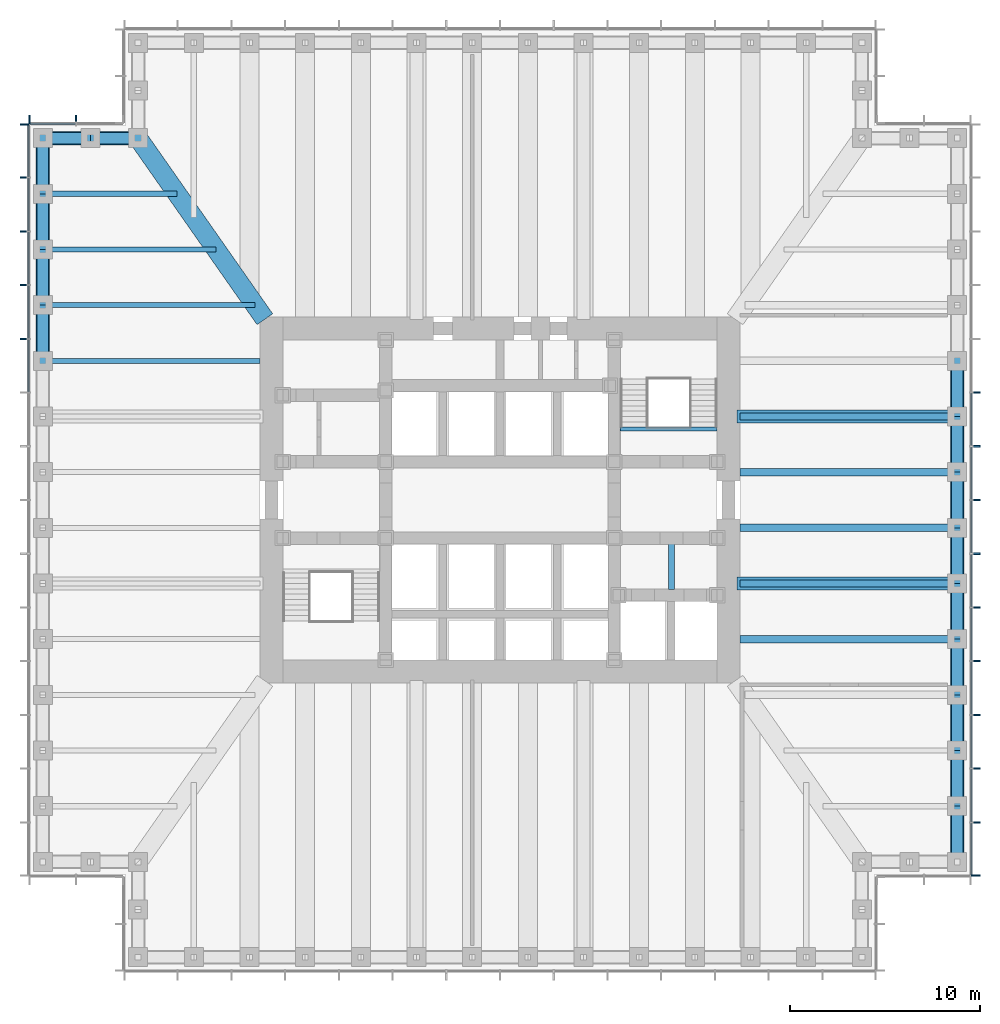
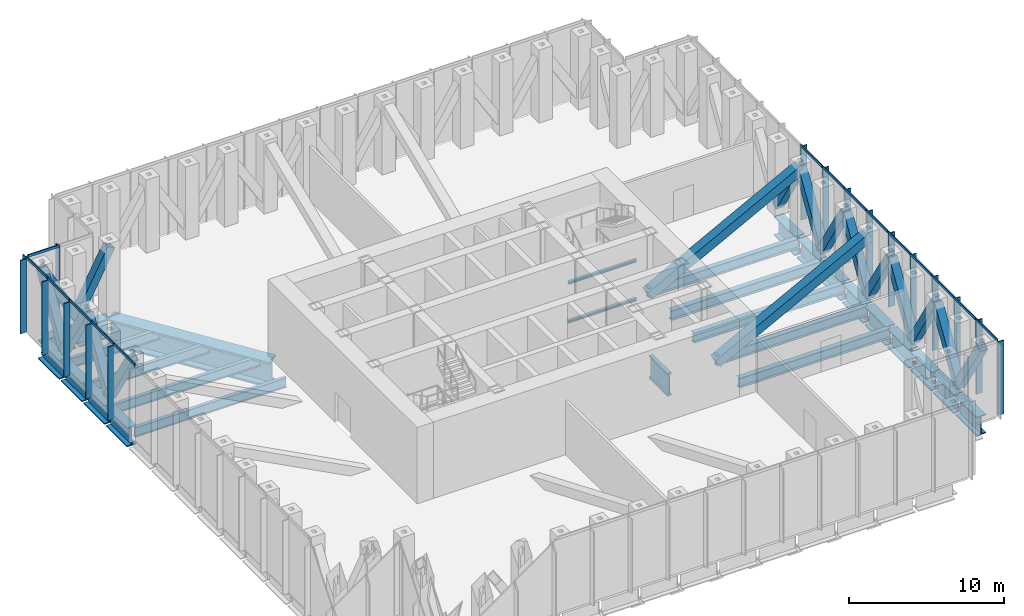
# One storey, part 4 of 15: 49 members, 28 beams, 3 elements without a shape of their own.
"""IFC4 building model written with IfcOpenShell, lengths in metres."""

from ifc_helpers import new_model, si_unit, direction, frame, origin, origin_2d, place, context, subcontext, project, spatial, rectangle, hollow_rectangle, i_section, extrude, material, material_profile, profile_set, type_object, element, aggregate, save


model = new_model("IFC4")

# Units and contexts
model_context = context("Model", 3, precision=1e-05, world=origin(), true_north=direction((0.0, 1.0)))
body_context = subcontext(model_context, "Body", "Model", "MODEL_VIEW")
ifc_project = project(units=[si_unit("LENGTHUNIT", "METRE"), si_unit("AREAUNIT", "SQUARE_METRE"), si_unit("VOLUMEUNIT", "CUBIC_METRE"), si_unit("PLANEANGLEUNIT", "RADIAN"), si_unit("MASSUNIT", "GRAM", prefix="KILO")], contexts=[model_context])

# Site, building, storey
site_placement = place(None, origin())
site = spatial("IfcSite", under=ifc_project, at=site_placement, CompositionType="ELEMENT")
building_placement = place(site_placement, origin())
building = spatial("IfcBuilding", under=site, at=building_placement, Name="Daluyong Arena Tower", CompositionType="ELEMENT")
storey_placement = place(building_placement, frame((0.0, 0.0, 102.10009765625)))
storey = spatial("IfcBuildingStorey", under=building, at=storey_placement, Name="L22", CompositionType="ELEMENT", Elevation=102.10009765625)

# Members
ifc_material_1 = material(Name="Steel ASTM A572 Grade 50", Category="steel")
ifc_material_profile_1 = material_profile(ifc_material_1, hollow_rectangle(XDim=0.60009765625, YDim=0.60009765625, WallThickness=0.05, at=origin_2d()))
ifc_profile_set_1 = profile_set([ifc_material_profile_1], Name="Steel ASTM A572 Grade 50")
member_type_1 = type_object("IfcMemberType", Name="Belt truss diagonal BX600X50", PredefinedType="BRACE", material=ifc_profile_set_1)
for number, where, z_axis, x_axis, name in (
    (1, (80.0, 63.923095703125, 0.5), (0.0, -0.524099867959, 0.851656813749), (1.0, 0.0, 0.0), "belt truss diagonal BT1"),
    (2, (80.0, 63.923095703125, 0.5), (0.0, 0.524099867959, 0.851656813749), (-1.0, 0.0, 0.0), "belt truss diagonal BT1"),
    (3, (80.0, 69.769287109375, 0.5), (0.0, -0.524099867959, 0.851656813749), (1.0, 0.0, 0.0), "belt truss diagonal BT1"),
    (4, (80.0, 69.769287109375, 0.5), (0.0, 0.524099867959, 0.851656813749), (-1.0, 0.0, 0.0), "belt truss diagonal BT1"),
    (5, (80.0, 75.615478515625, 0.5), (0.0, -0.524099867959, 0.851656813749), (1.0, 0.0, 0.0), "belt truss diagonal BT1"),
    (6, (80.0, 75.615478515625, 0.5), (0.0, 0.524099867959, 0.851656813749), (-1.0, 0.0, 0.0), "belt truss diagonal BT1"),
):
    element("IfcMember", number, at=place(storey_placement, frame(where, z_axis=z_axis, x_axis=x_axis)), inside=storey, type_object=member_type_1, Name=name, PredefinedType="BRACE", context=body_context, shape_type="SweptSolid", body=[
        extrude(hollow_rectangle(XDim=0.60009765625, YDim=0.60009765625, WallThickness=0.05, at=origin_2d()), origin(), (0.0, 0.0, 1.0), 5.577392578125),
    ])
member_1_placement = place(storey_placement, frame((80.0, 81.46142578125, 0.5), z_axis=(0.0, -0.524068117116, 0.851676352039), x_axis=(1.0, 0.0, 0.0)))
element("IfcMember", 7, at=member_1_placement, inside=storey, type_object=member_type_1, Name="belt truss diagonal BT1", PredefinedType="BRACE", context=body_context, shape_type="SweptSolid", body=[
    extrude(hollow_rectangle(XDim=0.60009765625, YDim=0.60009765625, WallThickness=0.05, at=origin_2d()), origin(), (0.0, 0.0, 1.0), 5.5771484375),
])
for number, where, z_axis, x_axis, name in (
    (8, (80.0, 81.46142578125, 0.5), (0.0, 0.524099867959, 0.851656813749), (-1.0, 0.0, 0.0), "belt truss diagonal BT1"),
    (9, (80.0, 87.3076171875, 0.5), (0.0, -0.524099867959, 0.851656813749), (1.0, 0.0, 0.0), "belt truss diagonal BT1"),
):
    element("IfcMember", number, at=place(storey_placement, frame(where, z_axis=z_axis, x_axis=x_axis)), inside=storey, type_object=member_type_1, Name=name, PredefinedType="BRACE", context=body_context, shape_type="SweptSolid", body=[
        extrude(hollow_rectangle(XDim=0.60009765625, YDim=0.60009765625, WallThickness=0.05, at=origin_2d()), origin(), (0.0, 0.0, 1.0), 5.577392578125),
    ])
for number, where, z_axis, x_axis, name in (
    (10, (34.5, 99.0, 0.5), (0.465746432833, 0.0, 0.884918222382), (0.0, 1.0, 0.0), "belt truss diagonal BT1"),
    (11, (34.5, 99.0, 0.5), (-0.465746432833, 0.0, 0.884918222382), (0.0, -1.0, 0.0), "belt truss diagonal BT1"),
):
    element("IfcMember", number, at=place(storey_placement, frame(where, z_axis=z_axis, x_axis=x_axis)), inside=storey, type_object=member_type_1, Name=name, PredefinedType="BRACE", context=body_context, shape_type="SweptSolid", body=[
        extrude(hollow_rectangle(XDim=0.60009765625, YDim=0.60009765625, WallThickness=0.05, at=origin_2d()), origin(), (0.0, 0.0, 1.0), 5.36767578125),
    ])
for number, where, z_axis, x_axis, name in (
    (12, (32.0, 96.076904296875, 0.5), (0.0, 0.524099867959, 0.851656813749), (-1.0, 0.0, 0.0), "belt truss diagonal BT1"),
    (13, (32.0, 96.076904296875, 0.5), (0.0, -0.524099867959, 0.851656813749), (1.0, 0.0, 0.0), "belt truss diagonal BT1"),
    (14, (32.0, 90.230712890625, 0.5), (0.0, 0.524099867959, 0.851656813749), (-1.0, 0.0, 0.0), "belt truss diagonal BT1"),
    (15, (32.0, 90.230712890625, 0.5), (0.0, -0.524099867959, 0.851656813749), (1.0, 0.0, 0.0), "belt truss diagonal BT1"),
):
    element("IfcMember", number, at=place(storey_placement, frame(where, z_axis=z_axis, x_axis=x_axis)), inside=storey, type_object=member_type_1, Name=name, PredefinedType="BRACE", context=body_context, shape_type="SweptSolid", body=[
        extrude(hollow_rectangle(XDim=0.60009765625, YDim=0.60009765625, WallThickness=0.05, at=origin_2d()), origin(), (0.0, 0.0, 1.0), 5.577392578125),
    ])

# Curtain wall, members
ifc_material_2 = material(Name="Bronze anodised aluminium and glass", Category="aluminium")
curtain_wall_type = type_object("IfcCurtainWallType", Name="Curtain wall CW6", PredefinedType="USERDEFINED", material=ifc_material_2)
curtain_wall_1_placement = place(storey_placement, origin())
curtain_wall_1 = element("IfcCurtainWall", 16, at=curtain_wall_1_placement, inside=storey, type_object=curtain_wall_type, Name="curtain wall L22 E", ObjectType="UNITISED CURTAIN WALL", PredefinedType="USERDEFINED")
ifc_material_3 = material(Name="Bronze anodised aluminium fin", Category="aluminium")
ifc_material_profile_2 = material_profile(ifc_material_3, rectangle(XDim=0.449951171875, YDim=0.080078125, at=origin_2d()))
ifc_profile_set_2 = profile_set([ifc_material_profile_2], Name="Bronze anodised aluminium fin")
member_type_2 = type_object("IfcMemberType", Name="CW6 bronze fin 450x80", PredefinedType="MULLION", material=ifc_profile_set_2)
member_2_placement = place(storey_placement, frame((80.97509765625, 60.2900390625, 0.0), z_axis=(0.0, 0.0, 1.0), x_axis=(-1.0, 0.0, 0.0)))
member_2 = element("IfcMember", 17, at=member_2_placement, type_object=member_type_2, Name="curtain wall L22 E fin 1", PredefinedType="MULLION", context=body_context, shape_type="SweptSolid", body=[
    extrude(rectangle(XDim=0.449951171875, YDim=0.080078125, at=origin_2d()), origin(), (0.0, 0.0, 1.0), 5.7998046875),
])
member_3_placement = place(storey_placement, frame((80.97509765625, 63.071533203125, 0.0), z_axis=(0.0, 0.0, 1.0), x_axis=(-1.0, 0.0, 0.0)))
member_3 = element("IfcMember", 18, at=member_3_placement, type_object=member_type_2, Name="curtain wall L22 E fin 2", PredefinedType="MULLION", context=body_context, shape_type="SweptSolid", body=[
    extrude(rectangle(XDim=0.449951171875, YDim=0.080078125, at=origin_2d()), origin(), (0.0, 0.0, 1.0), 5.7998046875),
])
member_4_placement = place(storey_placement, frame((80.97509765625, 65.892822265625, 0.0), z_axis=(0.0, 0.0, 1.0), x_axis=(-1.0, 0.0, 0.0)))
member_4 = element("IfcMember", 19, at=member_4_placement, type_object=member_type_2, Name="curtain wall L22 E fin 3", PredefinedType="MULLION", context=body_context, shape_type="SweptSolid", body=[
    extrude(rectangle(XDim=0.449951171875, YDim=0.080078125, at=origin_2d()), origin(), (0.0, 0.0, 1.0), 5.7998046875),
])
member_5_placement = place(storey_placement, frame((80.97509765625, 68.71435546875, 0.0), z_axis=(0.0, 0.0, 1.0), x_axis=(-1.0, 0.0, 0.0)))
member_5 = element("IfcMember", 20, at=member_5_placement, type_object=member_type_2, Name="curtain wall L22 E fin 4", PredefinedType="MULLION", context=body_context, shape_type="SweptSolid", body=[
    extrude(rectangle(XDim=0.449951171875, YDim=0.080078125, at=origin_2d()), origin(), (0.0, 0.0, 1.0), 5.7998046875),
])
member_6_placement = place(storey_placement, frame((80.97509765625, 71.53564453125, 0.0), z_axis=(0.0, 0.0, 1.0), x_axis=(-1.0, 0.0, 0.0)))
member_6 = element("IfcMember", 21, at=member_6_placement, type_object=member_type_2, Name="curtain wall L22 E fin 5", PredefinedType="MULLION", context=body_context, shape_type="SweptSolid", body=[
    extrude(rectangle(XDim=0.449951171875, YDim=0.080078125, at=origin_2d()), origin(), (0.0, 0.0, 1.0), 5.7998046875),
])
member_7_placement = place(storey_placement, frame((80.97509765625, 74.357177734375, 0.0), z_axis=(0.0, 0.0, 1.0), x_axis=(-1.0, 0.0, 0.0)))
member_7 = element("IfcMember", 22, at=member_7_placement, type_object=member_type_2, Name="curtain wall L22 E fin 6", PredefinedType="MULLION", context=body_context, shape_type="SweptSolid", body=[
    extrude(rectangle(XDim=0.449951171875, YDim=0.080078125, at=origin_2d()), origin(), (0.0, 0.0, 1.0), 5.7998046875),
])
member_8_placement = place(storey_placement, frame((80.97509765625, 77.178466796875, 0.0), z_axis=(0.0, 0.0, 1.0), x_axis=(-1.0, 0.0, 0.0)))
member_8 = element("IfcMember", 23, at=member_8_placement, type_object=member_type_2, Name="curtain wall L22 E fin 7", PredefinedType="MULLION", context=body_context, shape_type="SweptSolid", body=[
    extrude(rectangle(XDim=0.449951171875, YDim=0.080078125, at=origin_2d()), origin(), (0.0, 0.0, 1.0), 5.7998046875),
])
member_9_placement = place(storey_placement, frame((80.97509765625, 80.0, 0.0), z_axis=(0.0, 0.0, 1.0), x_axis=(-1.0, 0.0, 0.0)))
member_9 = element("IfcMember", 24, at=member_9_placement, type_object=member_type_2, Name="curtain wall L22 E fin 8", PredefinedType="MULLION", context=body_context, shape_type="SweptSolid", body=[
    extrude(rectangle(XDim=0.449951171875, YDim=0.080078125, at=origin_2d()), origin(), (0.0, 0.0, 1.0), 5.7998046875),
])
member_10_placement = place(storey_placement, frame((80.97509765625, 82.821533203125, 0.0), z_axis=(0.0, 0.0, 1.0), x_axis=(-1.0, 0.0, 0.0)))
member_10 = element("IfcMember", 25, at=member_10_placement, type_object=member_type_2, Name="curtain wall L22 E fin 9", PredefinedType="MULLION", context=body_context, shape_type="SweptSolid", body=[
    extrude(rectangle(XDim=0.449951171875, YDim=0.080078125, at=origin_2d()), origin(), (0.0, 0.0, 1.0), 5.7998046875),
])
member_11_placement = place(storey_placement, frame((80.97509765625, 85.642822265625, 0.0), z_axis=(0.0, 0.0, 1.0), x_axis=(-1.0, 0.0, 0.0)))
member_11 = element("IfcMember", 26, at=member_11_placement, type_object=member_type_2, Name="curtain wall L22 E fin 10", PredefinedType="MULLION", context=body_context, shape_type="SweptSolid", body=[
    extrude(rectangle(XDim=0.449951171875, YDim=0.080078125, at=origin_2d()), origin(), (0.0, 0.0, 1.0), 5.7998046875),
])

curtain_wall_2_placement = place(storey_placement, origin())
curtain_wall_2 = element("IfcCurtainWall", 27, at=curtain_wall_2_placement, inside=storey, type_object=curtain_wall_type, Name="curtain wall L22 NW-N", ObjectType="UNITISED CURTAIN WALL", PredefinedType="USERDEFINED")
member_12_placement = place(storey_placement, frame((33.75, 99.97509765625, 0.0), z_axis=(0.0, 0.0, 1.0), x_axis=(0.0, -1.0, 0.0)))
member_12 = element("IfcMember", 28, at=member_12_placement, type_object=member_type_2, Name="curtain wall L22 NW-N fin 2", PredefinedType="MULLION", context=body_context, shape_type="SweptSolid", body=[
    extrude(rectangle(XDim=0.449951171875, YDim=0.080078125, at=origin_2d()), origin(), (0.0, 0.0, 1.0), 5.7998046875),
])
member_13_placement = place(storey_placement, frame((31.2900390625, 99.97509765625, 0.0), z_axis=(0.0, 0.0, 1.0), x_axis=(0.0, -1.0, 0.0)))
member_13 = element("IfcMember", 29, at=member_13_placement, type_object=member_type_2, Name="curtain wall L22 NW-N fin 3", PredefinedType="MULLION", context=body_context, shape_type="SweptSolid", body=[
    extrude(rectangle(XDim=0.449951171875, YDim=0.080078125, at=origin_2d()), origin(), (0.0, 0.0, 1.0), 5.7998046875),
])

curtain_wall_3_placement = place(storey_placement, origin())
curtain_wall_3 = element("IfcCurtainWall", 30, at=curtain_wall_3_placement, inside=storey, type_object=curtain_wall_type, Name="curtain wall L22 W", ObjectType="UNITISED CURTAIN WALL", PredefinedType="USERDEFINED")
member_14_placement = place(storey_placement, frame((31.02490234375, 99.7099609375, 0.0), z_axis=(0.0, 0.0, 1.0), x_axis=(1.0, 0.0, 0.0)))
member_14 = element("IfcMember", 31, at=member_14_placement, type_object=member_type_2, Name="curtain wall L22 W fin 1", PredefinedType="MULLION", context=body_context, shape_type="SweptSolid", body=[
    extrude(rectangle(XDim=0.449951171875, YDim=0.080078125, at=origin_2d()), origin(), (0.0, 0.0, 1.0), 5.7998046875),
])
member_15_placement = place(storey_placement, frame((31.02490234375, 96.928466796875, 0.0), z_axis=(0.0, 0.0, 1.0), x_axis=(1.0, 0.0, 0.0)))
member_15 = element("IfcMember", 32, at=member_15_placement, type_object=member_type_2, Name="curtain wall L22 W fin 2", PredefinedType="MULLION", context=body_context, shape_type="SweptSolid", body=[
    extrude(rectangle(XDim=0.449951171875, YDim=0.080078125, at=origin_2d()), origin(), (0.0, 0.0, 1.0), 5.7998046875),
])
member_16_placement = place(storey_placement, frame((31.02490234375, 94.107177734375, 0.0), z_axis=(0.0, 0.0, 1.0), x_axis=(1.0, 0.0, 0.0)))
member_16 = element("IfcMember", 33, at=member_16_placement, type_object=member_type_2, Name="curtain wall L22 W fin 3", PredefinedType="MULLION", context=body_context, shape_type="SweptSolid", body=[
    extrude(rectangle(XDim=0.449951171875, YDim=0.080078125, at=origin_2d()), origin(), (0.0, 0.0, 1.0), 5.7998046875),
])
member_17_placement = place(storey_placement, frame((31.02490234375, 91.28564453125, 0.0), z_axis=(0.0, 0.0, 1.0), x_axis=(1.0, 0.0, 0.0)))
member_17 = element("IfcMember", 34, at=member_17_placement, type_object=member_type_2, Name="curtain wall L22 W fin 4", PredefinedType="MULLION", context=body_context, shape_type="SweptSolid", body=[
    extrude(rectangle(XDim=0.449951171875, YDim=0.080078125, at=origin_2d()), origin(), (0.0, 0.0, 1.0), 5.7998046875),
])
member_18_placement = place(storey_placement, frame((31.02490234375, 88.46435546875, 0.0), z_axis=(0.0, 0.0, 1.0), x_axis=(1.0, 0.0, 0.0)))
member_18 = element("IfcMember", 35, at=member_18_placement, type_object=member_type_2, Name="curtain wall L22 W fin 5", PredefinedType="MULLION", context=body_context, shape_type="SweptSolid", body=[
    extrude(rectangle(XDim=0.449951171875, YDim=0.080078125, at=origin_2d()), origin(), (0.0, 0.0, 1.0), 5.7998046875),
])

# Member
ifc_material_4 = material(Name="Bronze anodised aluminium", Category="aluminium")
ifc_material_profile_3 = material_profile(ifc_material_4, rectangle(XDim=0.080078125, YDim=0.199951171875, at=origin_2d()))
ifc_profile_set_3 = profile_set([ifc_material_profile_3], Name="Bronze anodised aluminium")
member_type_3 = type_object("IfcMemberType", Name="CW6 stack transom 200x80", PredefinedType="USERDEFINED", material=ifc_profile_set_3)
member_19_placement = place(storey_placement, frame((80.75, 60.330078125, 5.89990234375), z_axis=(0.0, 1.0, 0.0), x_axis=(-1.0, 0.0, 0.0)))
member_19 = element("IfcMember", 36, at=member_19_placement, type_object=member_type_3, Name="curtain wall L22 E transom 1", ObjectType="TRANSOM", PredefinedType="USERDEFINED", context=body_context, shape_type="SweptSolid", body=[
    extrude(rectangle(XDim=0.080078125, YDim=0.199951171875, at=origin_2d()), origin(), (0.0, 0.0, 1.0), 2.701416015625),
])

member_20_placement = place(storey_placement, frame((80.75, 63.111328125, 5.89990234375), z_axis=(0.0, 1.0, 0.0), x_axis=(-1.0, 0.0, 0.0)))
member_20 = element("IfcMember", 37, at=member_20_placement, type_object=member_type_3, Name="curtain wall L22 E transom 2", ObjectType="TRANSOM", PredefinedType="USERDEFINED", context=body_context, shape_type="SweptSolid", body=[
    extrude(rectangle(XDim=0.080078125, YDim=0.199951171875, at=origin_2d()), origin(), (0.0, 0.0, 1.0), 2.741455078125),
])

member_21_placement = place(storey_placement, frame((80.75, 65.932861328125, 5.89990234375), z_axis=(0.0, 1.0, 0.0), x_axis=(-1.0, 0.0, 0.0)))
member_21 = element("IfcMember", 38, at=member_21_placement, type_object=member_type_3, Name="curtain wall L22 E transom 3", ObjectType="TRANSOM", PredefinedType="USERDEFINED", context=body_context, shape_type="SweptSolid", body=[
    extrude(rectangle(XDim=0.080078125, YDim=0.199951171875, at=origin_2d()), origin(), (0.0, 0.0, 1.0), 2.741455078125),
])

member_22_placement = place(storey_placement, frame((80.75, 68.75439453125, 5.89990234375), z_axis=(0.0, 1.0, 0.0), x_axis=(-1.0, 0.0, 0.0)))
member_22 = element("IfcMember", 39, at=member_22_placement, type_object=member_type_3, Name="curtain wall L22 E transom 4", ObjectType="TRANSOM", PredefinedType="USERDEFINED", context=body_context, shape_type="SweptSolid", body=[
    extrude(rectangle(XDim=0.080078125, YDim=0.199951171875, at=origin_2d()), origin(), (0.0, 0.0, 1.0), 2.7412109375),
])

member_23_placement = place(storey_placement, frame((80.75, 71.57568359375, 5.89990234375), z_axis=(0.0, 1.0, 0.0), x_axis=(-1.0, 0.0, 0.0)))
member_23 = element("IfcMember", 40, at=member_23_placement, type_object=member_type_3, Name="curtain wall L22 E transom 5", ObjectType="TRANSOM", PredefinedType="USERDEFINED", context=body_context, shape_type="SweptSolid", body=[
    extrude(rectangle(XDim=0.080078125, YDim=0.199951171875, at=origin_2d()), origin(), (0.0, 0.0, 1.0), 2.741455078125),
])

member_24_placement = place(storey_placement, frame((80.75, 74.397216796875, 5.89990234375), z_axis=(0.0, 1.0, 0.0), x_axis=(-1.0, 0.0, 0.0)))
member_24 = element("IfcMember", 41, at=member_24_placement, type_object=member_type_3, Name="curtain wall L22 E transom 6", ObjectType="TRANSOM", PredefinedType="USERDEFINED", context=body_context, shape_type="SweptSolid", body=[
    extrude(rectangle(XDim=0.080078125, YDim=0.199951171875, at=origin_2d()), origin(), (0.0, 0.0, 1.0), 2.741455078125),
])

member_25_placement = place(storey_placement, frame((80.75, 77.218505859375, 5.89990234375), z_axis=(0.0, 1.0, 0.0), x_axis=(-1.0, 0.0, 0.0)))
member_25 = element("IfcMember", 42, at=member_25_placement, type_object=member_type_3, Name="curtain wall L22 E transom 7", ObjectType="TRANSOM", PredefinedType="USERDEFINED", context=body_context, shape_type="SweptSolid", body=[
    extrude(rectangle(XDim=0.080078125, YDim=0.199951171875, at=origin_2d()), origin(), (0.0, 0.0, 1.0), 2.741455078125),
])

member_26_placement = place(storey_placement, frame((80.75, 80.0400390625, 5.89990234375), z_axis=(0.0, 1.0, 0.0), x_axis=(-1.0, 0.0, 0.0)))
member_26 = element("IfcMember", 43, at=member_26_placement, type_object=member_type_3, Name="curtain wall L22 E transom 8", ObjectType="TRANSOM", PredefinedType="USERDEFINED", context=body_context, shape_type="SweptSolid", body=[
    extrude(rectangle(XDim=0.080078125, YDim=0.199951171875, at=origin_2d()), origin(), (0.0, 0.0, 1.0), 2.741455078125),
])

member_27_placement = place(storey_placement, frame((80.75, 82.861328125, 5.89990234375), z_axis=(0.0, 1.0, 0.0), x_axis=(-1.0, 0.0, 0.0)))
member_27 = element("IfcMember", 44, at=member_27_placement, type_object=member_type_3, Name="curtain wall L22 E transom 9", ObjectType="TRANSOM", PredefinedType="USERDEFINED", context=body_context, shape_type="SweptSolid", body=[
    extrude(rectangle(XDim=0.080078125, YDim=0.199951171875, at=origin_2d()), origin(), (0.0, 0.0, 1.0), 2.741455078125),
])

aggregate(curtain_wall_1, [member_2, member_3, member_4, member_5, member_6, member_7, member_8, member_9, member_10, member_11, member_19, member_20, member_21, member_22, member_23, member_24, member_25, member_26, member_27])

member_28_placement = place(storey_placement, frame((33.7099609375, 99.75, 5.89990234375), z_axis=(-1.0, 0.0, 0.0), x_axis=(0.0, -1.0, 0.0)))
member_28 = element("IfcMember", 45, at=member_28_placement, type_object=member_type_3, Name="curtain wall L22 NW-N transom 2", ObjectType="TRANSOM", PredefinedType="USERDEFINED", context=body_context, shape_type="SweptSolid", body=[
    extrude(rectangle(XDim=0.080078125, YDim=0.199951171875, at=origin_2d()), origin(), (0.0, 0.0, 1.0), 2.3798828125),
])

aggregate(curtain_wall_2, [member_12, member_13, member_28])

member_29_placement = place(storey_placement, frame((31.25, 99.669921875, 5.89990234375), z_axis=(0.0, -1.0, 0.0), x_axis=(1.0, 0.0, 0.0)))
member_29 = element("IfcMember", 46, at=member_29_placement, type_object=member_type_3, Name="curtain wall L22 W transom 1", ObjectType="TRANSOM", PredefinedType="USERDEFINED", context=body_context, shape_type="SweptSolid", body=[
    extrude(rectangle(XDim=0.080078125, YDim=0.199951171875, at=origin_2d()), origin(), (0.0, 0.0, 1.0), 2.701416015625),
])

member_30_placement = place(storey_placement, frame((31.25, 96.888671875, 5.89990234375), z_axis=(0.0, -1.0, 0.0), x_axis=(1.0, 0.0, 0.0)))
member_30 = element("IfcMember", 47, at=member_30_placement, type_object=member_type_3, Name="curtain wall L22 W transom 2", ObjectType="TRANSOM", PredefinedType="USERDEFINED", context=body_context, shape_type="SweptSolid", body=[
    extrude(rectangle(XDim=0.080078125, YDim=0.199951171875, at=origin_2d()), origin(), (0.0, 0.0, 1.0), 2.741455078125),
])

member_31_placement = place(storey_placement, frame((31.25, 94.067138671875, 5.89990234375), z_axis=(0.0, -1.0, 0.0), x_axis=(1.0, 0.0, 0.0)))
member_31 = element("IfcMember", 48, at=member_31_placement, type_object=member_type_3, Name="curtain wall L22 W transom 3", ObjectType="TRANSOM", PredefinedType="USERDEFINED", context=body_context, shape_type="SweptSolid", body=[
    extrude(rectangle(XDim=0.080078125, YDim=0.199951171875, at=origin_2d()), origin(), (0.0, 0.0, 1.0), 2.741455078125),
])

member_32_placement = place(storey_placement, frame((31.25, 91.24560546875, 5.89990234375), z_axis=(0.0, -1.0, 0.0), x_axis=(1.0, 0.0, 0.0)))
member_32 = element("IfcMember", 49, at=member_32_placement, type_object=member_type_3, Name="curtain wall L22 W transom 4", ObjectType="TRANSOM", PredefinedType="USERDEFINED", context=body_context, shape_type="SweptSolid", body=[
    extrude(rectangle(XDim=0.080078125, YDim=0.199951171875, at=origin_2d()), origin(), (0.0, 0.0, 1.0), 2.7412109375),
])

member_33_placement = place(storey_placement, frame((31.25, 88.42431640625, 5.89990234375), z_axis=(0.0, -1.0, 0.0), x_axis=(1.0, 0.0, 0.0)))
member_33 = element("IfcMember", 50, at=member_33_placement, type_object=member_type_3, Name="curtain wall L22 W transom 5", ObjectType="TRANSOM", PredefinedType="USERDEFINED", context=body_context, shape_type="SweptSolid", body=[
    extrude(rectangle(XDim=0.080078125, YDim=0.199951171875, at=origin_2d()), origin(), (0.0, 0.0, 1.0), 2.741455078125),
])

aggregate(curtain_wall_3, [member_14, member_15, member_16, member_17, member_18, member_29, member_30, member_31, member_32, member_33])

# Beams
ifc_material_5 = material(Name="Steel ASTM A588 Grade 50", Category="steel")
ifc_material_profile_4 = material_profile(ifc_material_5, i_section(OverallWidth=1.0, OverallDepth=2.0, WebThickness=0.06, FlangeThickness=0.15, at=origin_2d()))
ifc_profile_set_4 = profile_set([ifc_material_profile_4], Name="Steel ASTM A588 Grade 50")
beam_type_1 = type_object("IfcBeamType", Name="Corner girder PG2000X1000", PredefinedType="BEAM", material=ifc_profile_set_4)
beam_1_placement = place(storey_placement, frame((37.06591796875, 98.90576171875, -1.25), z_axis=(0.573466621875, -0.819228926244, 0.0), x_axis=(0.819228926244, 0.573466621875, 0.0)))
element("IfcBeam", 51, at=beam_1_placement, inside=storey, type_object=beam_type_1, Name="corner girder DG3", PredefinedType="BEAM", context=body_context, shape_type="SweptSolid", body=[
    extrude(i_section(OverallWidth=1.0, OverallDepth=2.0, WebThickness=0.06, FlangeThickness=0.15, at=origin_2d()), origin(), (0.0, 0.0, 1.0), 11.49169921875),
])
ifc_material_6 = material(Name="Steel ASTM A992 Grade 50", Category="steel")
ifc_material_profile_5 = material_profile(ifc_material_6, i_section(OverallWidth=0.2666015625, OverallDepth=0.761962890625, WebThickness=0.014404296875, FlangeThickness=0.021484375, at=origin_2d()))
ifc_profile_set_5 = profile_set([ifc_material_profile_5], Name="Steel ASTM A992 Grade 50")
beam_type_2 = type_object("IfcBeamType", Name="Floor beam W30X116", PredefinedType="BEAM", material=ifc_profile_set_5)
beam_2_placement = place(storey_placement, frame((32.114990234375, 96.076904296875, -0.631103515625), z_axis=(1.0, 0.0, 0.0), x_axis=(0.0, 1.0, 0.0)))
element("IfcBeam", 52, at=beam_2_placement, inside=storey, type_object=beam_type_2, Name="floor beam FB4", PredefinedType="BEAM", context=body_context, shape_type="SweptSolid", body=[
    extrude(i_section(OverallWidth=0.2666015625, OverallDepth=0.761962890625, WebThickness=0.014404296875, FlangeThickness=0.021484375, at=origin_2d()), origin(), (0.0, 0.0, 1.0), 6.93115234375),
])
beam_3_placement = place(storey_placement, frame((32.114990234375, 93.15380859375, -0.631103515625), z_axis=(1.0, 0.0, 0.0), x_axis=(0.0, 1.0, 0.0)))
element("IfcBeam", 53, at=beam_3_placement, inside=storey, type_object=beam_type_2, Name="floor beam FB4", PredefinedType="BEAM", context=body_context, shape_type="SweptSolid", body=[
    extrude(i_section(OverallWidth=0.2666015625, OverallDepth=0.761962890625, WebThickness=0.014404296875, FlangeThickness=0.021484375, at=origin_2d()), origin(), (0.0, 0.0, 1.0), 8.977294921875),
])
beam_4_placement = place(storey_placement, frame((32.114990234375, 90.230712890625, -0.631103515625), z_axis=(1.0, 0.0, 0.0), x_axis=(0.0, 1.0, 0.0)))
element("IfcBeam", 54, at=beam_4_placement, inside=storey, type_object=beam_type_2, Name="floor beam FB4", PredefinedType="BEAM", context=body_context, shape_type="SweptSolid", body=[
    extrude(i_section(OverallWidth=0.2666015625, OverallDepth=0.761962890625, WebThickness=0.014404296875, FlangeThickness=0.021484375, at=origin_2d()), origin(), (0.0, 0.0, 1.0), 11.0234375),
])
beam_5_placement = place(storey_placement, frame((32.114990234375, 87.3076171875, -0.631103515625), z_axis=(1.0, 0.0, 0.0), x_axis=(0.0, 1.0, 0.0)))
element("IfcBeam", 55, at=beam_5_placement, inside=storey, type_object=beam_type_2, Name="floor beam FB4", PredefinedType="BEAM", context=body_context, shape_type="SweptSolid", body=[
    extrude(i_section(OverallWidth=0.2666015625, OverallDepth=0.761962890625, WebThickness=0.014404296875, FlangeThickness=0.021484375, at=origin_2d()), origin(), (0.0, 0.0, 1.0), 11.284912109375),
])
ifc_material_7 = material(Name="Steel ASTM A992 Grade 50", Category="steel")
ifc_material_profile_6 = material_profile(ifc_material_7, i_section(OverallWidth=0.381103515625, OverallDepth=0.772216796875, WebThickness=0.0166015625, FlangeThickness=0.027099609375, at=origin_2d()))
ifc_profile_set_6 = profile_set([ifc_material_profile_6], Name="Steel ASTM A992 Grade 50")
beam_type_3 = type_object("IfcBeamType", Name="Floor beam W30X173", PredefinedType="BEAM", material=ifc_profile_set_6)
for number, where, z_axis, x_axis, name in (
    (56, (79.885009765625, 72.6923828125, -0.63623046875), (-1.0, 0.0, 0.0), (0.0, -1.0, 0.0), "floor beam FB2"),
    (57, (79.885009765625, 75.615478515625, -0.63623046875), (-1.0, 0.0, 0.0), (0.0, -1.0, 0.0), "floor beam FB2"),
    (58, (79.885009765625, 78.53857421875, -0.63623046875), (-1.0, 0.0, 0.0), (0.0, -1.0, 0.0), "floor beam FB2"),
    (59, (79.885009765625, 81.46142578125, -0.63623046875), (-1.0, 0.0, 0.0), (0.0, -1.0, 0.0), "floor beam FB2"),
    (60, (79.885009765625, 84.384521484375, -0.63623046875), (-1.0, 0.0, 0.0), (0.0, -1.0, 0.0), "floor beam FB2"),
):
    element("IfcBeam", number, at=place(storey_placement, frame(where, z_axis=z_axis, x_axis=x_axis)), inside=storey, type_object=beam_type_3, Name=name, PredefinedType="BEAM", context=body_context, shape_type="SweptSolid", body=[
        extrude(i_section(OverallWidth=0.381103515625, OverallDepth=0.772216796875, WebThickness=0.0166015625, FlangeThickness=0.027099609375, at=origin_2d()), origin(), (0.0, 0.0, 1.0), 11.284912109375),
    ])
ifc_material_8 = material(Name="Steel ASTM A588 Grade 50", Category="steel")
ifc_material_profile_7 = material_profile(ifc_material_8, i_section(OverallWidth=0.300048828125, OverallDepth=1.800048828125, WebThickness=0.05, FlangeThickness=0.12, at=origin_2d()))
ifc_profile_set_7 = profile_set([ifc_material_profile_7], Name="Steel ASTM A588 Grade 50")
beam_type_4 = type_object("IfcBeamType", Name="Lift divider beam PG1800X300", PredefinedType="BEAM", material=ifc_profile_set_7)
beam_6_placement = place(storey_placement, frame((65.0, 75.300048828125, -1.150146484375), z_axis=(0.0, 1.0, 0.0), x_axis=(-1.0, 0.0, 0.0)))
element("IfcBeam", 61, at=beam_6_placement, inside=storey, type_object=beam_type_4, Name="lift divider beam DB3", PredefinedType="BEAM", context=body_context, shape_type="SweptSolid", body=[
    extrude(i_section(OverallWidth=0.300048828125, OverallDepth=1.800048828125, WebThickness=0.05, FlangeThickness=0.12, at=origin_2d()), origin(), (0.0, 0.0, 1.0), 2.39990234375),
])

# Members
ifc_material_9 = material(Name="Steel ASTM A572 Grade 50", Category="steel")
ifc_material_profile_8 = material_profile(ifc_material_9, hollow_rectangle(XDim=0.699951171875, YDim=0.699951171875, WallThickness=0.06, at=origin_2d()))
ifc_profile_set_8 = profile_set([ifc_material_profile_8], Name="Steel ASTM A572 Grade 50")
member_type_4 = type_object("IfcMemberType", Name="Outrigger diagonal BX700X60", PredefinedType="BRACE", material=ifc_profile_set_8)
for number, where, z_axis, x_axis, name in (
    (62, (68.60009765625, 75.615478515625, -0.75), (0.884916578004, 0.0, 0.465749557138), (0.0, 1.0, 0.0), "outrigger diagonal OT1"),
    (63, (68.60009765625, 84.384521484375, -0.75), (0.884916578004, 0.0, 0.465749557138), (0.0, 1.0, 0.0), "outrigger diagonal OT1"),
):
    element("IfcMember", number, at=place(storey_placement, frame(where, z_axis=z_axis, x_axis=x_axis)), inside=storey, type_object=member_type_4, Name=name, PredefinedType="BRACE", context=body_context, shape_type="SweptSolid", body=[
        extrude(hollow_rectangle(XDim=0.699951171875, YDim=0.699951171875, WallThickness=0.06, at=origin_2d()), origin(), (0.0, 0.0, 1.0), 12.882568359375),
    ])

# Beams
ifc_material_10 = material(Name="Steel ASTM A572 Grade 50", Category="steel")
ifc_material_profile_9 = material_profile(ifc_material_10, i_section(OverallWidth=0.699951171875, OverallDepth=1.5, WebThickness=0.04, FlangeThickness=0.08, at=origin_2d()))
ifc_profile_set_9 = profile_set([ifc_material_profile_9], Name="Steel ASTM A572 Grade 50")
beam_type_5 = type_object("IfcBeamType", Name="Spandrel Z1 PG1500X700", PredefinedType="SPANDREL", material=ifc_profile_set_9)
for number, where, z_axis, x_axis, name in (
    (64, (80.0, 61.114990234375, -1.0), (0.0, 1.0, 0.0), (-1.0, 0.0, 0.0), "spandrel z1 SB4"),
    (65, (80.0, 64.0380859375, -1.0), (0.0, 1.0, 0.0), (-1.0, 0.0, 0.0), "spandrel z1 SB4"),
    (66, (80.0, 66.961181640625, -1.0), (0.0, 1.0, 0.0), (-1.0, 0.0, 0.0), "spandrel z1 SB4"),
    (67, (80.0, 69.88427734375, -1.0), (0.0, 1.0, 0.0), (-1.0, 0.0, 0.0), "spandrel z1 SB4"),
    (68, (80.0, 72.807373046875, -1.0), (0.0, 1.0, 0.0), (-1.0, 0.0, 0.0), "spandrel z1 SB4"),
    (69, (80.0, 75.73046875, -1.0), (0.0, 1.0, 0.0), (-1.0, 0.0, 0.0), "spandrel z1 SB4"),
):
    element("IfcBeam", number, at=place(storey_placement, frame(where, z_axis=z_axis, x_axis=x_axis)), inside=storey, type_object=beam_type_5, Name=name, PredefinedType="SPANDREL", context=body_context, shape_type="SweptSolid", body=[
        extrude(i_section(OverallWidth=0.699951171875, OverallDepth=1.5, WebThickness=0.04, FlangeThickness=0.08, at=origin_2d()), origin(), (0.0, 0.0, 1.0), 2.693115234375),
    ])
beam_7_placement = place(storey_placement, frame((80.0, 78.653564453125, -1.0), z_axis=(0.0, 1.0, 0.0), x_axis=(-1.0, 0.0, 0.0)))
element("IfcBeam", 70, at=beam_7_placement, inside=storey, type_object=beam_type_5, Name="spandrel z1 SB4", PredefinedType="SPANDREL", context=body_context, shape_type="SweptSolid", body=[
    extrude(i_section(OverallWidth=0.699951171875, OverallDepth=1.5, WebThickness=0.04, FlangeThickness=0.08, at=origin_2d()), origin(), (0.0, 0.0, 1.0), 2.69287109375),
])
for number, where, z_axis, x_axis, name in (
    (71, (80.0, 81.576416015625, -1.0), (0.0, 1.0, 0.0), (-1.0, 0.0, 0.0), "spandrel z1 SB4"),
    (72, (80.0, 84.49951171875, -1.0), (0.0, 1.0, 0.0), (-1.0, 0.0, 0.0), "spandrel z1 SB4"),
):
    element("IfcBeam", number, at=place(storey_placement, frame(where, z_axis=z_axis, x_axis=x_axis)), inside=storey, type_object=beam_type_5, Name=name, PredefinedType="SPANDREL", context=body_context, shape_type="SweptSolid", body=[
        extrude(i_section(OverallWidth=0.699951171875, OverallDepth=1.5, WebThickness=0.04, FlangeThickness=0.08, at=origin_2d()), origin(), (0.0, 0.0, 1.0), 2.693115234375),
    ])
for number, where, z_axis, x_axis, name in (
    (73, (36.885009765625, 99.0, -1.0), (-1.0, 0.0, 0.0), (0.0, -1.0, 0.0), "spandrel z1 SB4"),
    (74, (34.385009765625, 99.0, -1.0), (-1.0, 0.0, 0.0), (0.0, -1.0, 0.0), "spandrel z1 SB4"),
):
    element("IfcBeam", number, at=place(storey_placement, frame(where, z_axis=z_axis, x_axis=x_axis)), inside=storey, type_object=beam_type_5, Name=name, PredefinedType="SPANDREL", context=body_context, shape_type="SweptSolid", body=[
        extrude(i_section(OverallWidth=0.699951171875, OverallDepth=1.5, WebThickness=0.04, FlangeThickness=0.08, at=origin_2d()), origin(), (0.0, 0.0, 1.0), 2.27001953125),
    ])
for number, where, z_axis, x_axis, name in (
    (75, (32.0, 98.885009765625, -1.0), (0.0, -1.0, 0.0), (1.0, 0.0, 0.0), "spandrel z1 SB4"),
    (76, (32.0, 95.9619140625, -1.0), (0.0, -1.0, 0.0), (1.0, 0.0, 0.0), "spandrel z1 SB4"),
    (77, (32.0, 93.038818359375, -1.0), (0.0, -1.0, 0.0), (1.0, 0.0, 0.0), "spandrel z1 SB4"),
    (78, (32.0, 90.11572265625, -1.0), (0.0, -1.0, 0.0), (1.0, 0.0, 0.0), "spandrel z1 SB4"),
):
    element("IfcBeam", number, at=place(storey_placement, frame(where, z_axis=z_axis, x_axis=x_axis)), inside=storey, type_object=beam_type_5, Name=name, PredefinedType="SPANDREL", context=body_context, shape_type="SweptSolid", body=[
        extrude(i_section(OverallWidth=0.699951171875, OverallDepth=1.5, WebThickness=0.04, FlangeThickness=0.08, at=origin_2d()), origin(), (0.0, 0.0, 1.0), 2.693115234375),
    ])
ifc_material_11 = material(Name="Steel ASTM A992 Grade 50", Category="steel")
ifc_material_profile_10 = material_profile(ifc_material_11, i_section(OverallWidth=0.203125, OverallDepth=0.203125, WebThickness=0.00732421875, FlangeThickness=0.010986328125, at=origin_2d()))
ifc_profile_set_10 = profile_set([ifc_material_profile_10], Name="Steel ASTM A992 Grade 50")
beam_type_6 = type_object("IfcBeamType", Name="Stair landing beam W8X31", PredefinedType="BEAM", material=ifc_profile_set_10)
beam_8_placement = place(storey_placement, frame((62.300048828125, 83.723388671875, -0.351806640625), z_axis=(1.0, 0.0, 0.0), x_axis=(0.0, 1.0, 0.0)))
element("IfcBeam", 79, at=beam_8_placement, inside=storey, type_object=beam_type_6, Name="exit stair B landing beam", PredefinedType="BEAM", context=body_context, shape_type="SweptSolid", body=[
    extrude(i_section(OverallWidth=0.203125, OverallDepth=0.203125, WebThickness=0.00732421875, FlangeThickness=0.010986328125, at=origin_2d()), origin(), (0.0, 0.0, 1.0), 5.099853515625),
])
beam_9_placement = place(storey_placement, frame((62.324951171875, 83.723388671875, 2.6982421875), z_axis=(1.0, 0.0, 0.0), x_axis=(0.0, 1.0, 0.0)))
element("IfcBeam", 80, at=beam_9_placement, inside=storey, type_object=beam_type_6, Name="exit stair B landing beam", PredefinedType="BEAM", context=body_context, shape_type="SweptSolid", body=[
    extrude(i_section(OverallWidth=0.203125, OverallDepth=0.203125, WebThickness=0.00732421875, FlangeThickness=0.010986328125, at=origin_2d()), origin(), (0.0, 0.0, 1.0), 5.074951171875),
])

save(model, "model.ifc")
